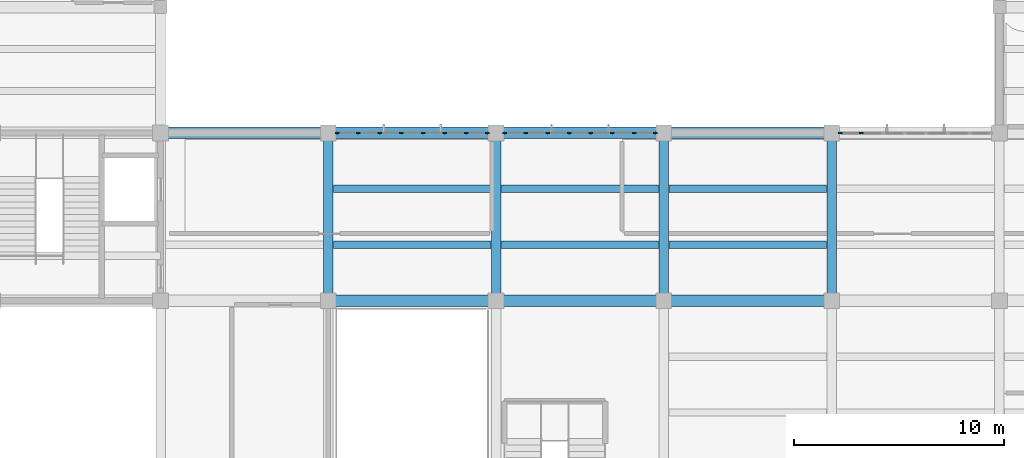
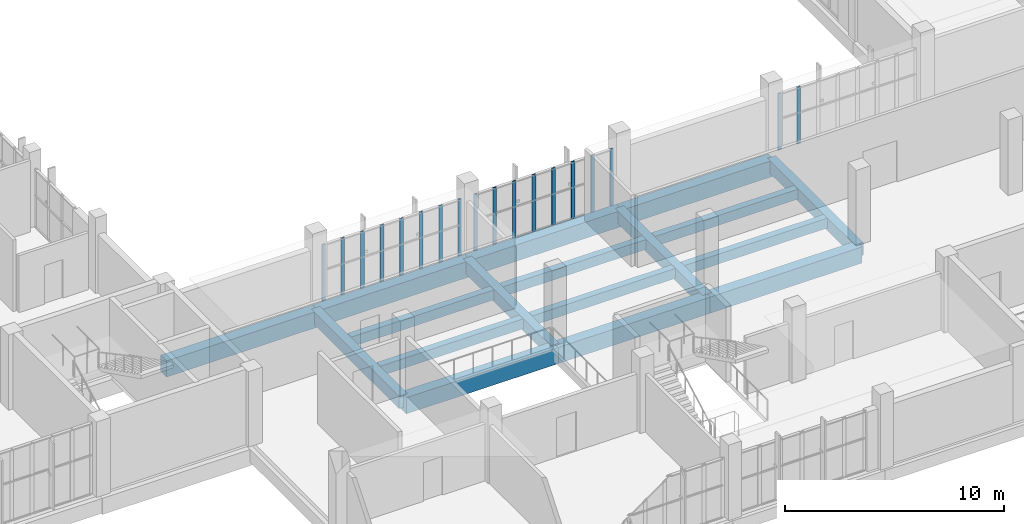
# One storey, part 13 of 85: 18 members, 17 beams, 3 elements without a shape of their own.
"""IFC4 building model written with IfcOpenShell, lengths in metres."""

from ifc_helpers import new_model, si_unit, direction, frame, origin, origin_2d, place, context, subcontext, project, spatial, rectangle, extrude, material, layer, layer_set, material_profile, profile_set, type_object, element, aggregate, save


model = new_model("IFC4")

# Units and contexts
model_context = context("Model", 3, precision=1e-05, world=origin(), true_north=direction((0.0, 1.0)))
body_context = subcontext(model_context, "Body", "Model", "MODEL_VIEW")
ifc_project = project(units=[si_unit("LENGTHUNIT", "METRE"), si_unit("AREAUNIT", "SQUARE_METRE"), si_unit("VOLUMEUNIT", "CUBIC_METRE"), si_unit("PLANEANGLEUNIT", "RADIAN"), si_unit("MASSUNIT", "GRAM", prefix="KILO")], contexts=[model_context])

# Site, building, storey
site_placement = place(None, origin())
site = spatial("IfcSite", under=ifc_project, at=site_placement, CompositionType="ELEMENT")
building_placement = place(site_placement, origin())
building = spatial("IfcBuilding", under=site, at=building_placement, Name="Solvane Community Centre", CompositionType="ELEMENT")
storey_placement = place(building_placement, frame((0.0, 0.0, 5.39990234375)))
storey = spatial("IfcBuildingStorey", under=building, at=storey_placement, Name="L01", CompositionType="ELEMENT", Elevation=5.39990234375)

# Curtain wall, members
ifc_material_1 = material(Name="Anodised bronze aluminium AW-6063 T6", Category="aluminium")
ifc_layer = layer(ifc_material_1, 0.18994140625)
ifc_layer_set = layer_set([ifc_layer], Name="Anodised bronze aluminium AW-6063 T6")
curtain_wall_type = type_object("IfcCurtainWallType", Name="Boulevard Bronze Vision Curtain Wall [72x32dm]", PredefinedType="NOTDEFINED", material=ifc_layer_set)
curtain_wall_1_placement = place(storey_placement, origin())
curtain_wall_1 = element("IfcCurtainWall", 1, at=curtain_wall_1_placement, inside=storey, type_object=curtain_wall_type, Name="Curtain Wall CW-L01-764_300-111", PredefinedType="NOTDEFINED")
ifc_material_profile_1 = material_profile(ifc_material_1, rectangle(XDim=0.06005859375, YDim=0.18994140625, at=origin_2d()), Name="CW-M 60x190")
ifc_profile_set_1 = profile_set([ifc_material_profile_1], Name="Anodised bronze aluminium AW-6063 T6")
member_type = type_object("IfcMemberType", Name="Boulevard Mullion 60x190", PredefinedType="MULLION", material=ifc_profile_set_1)
member_1_placement = place(storey_placement, frame((76.419921875, 30.0, 0.0), z_axis=(0.0, 0.0, 1.0), x_axis=(0.0, 1.0, 0.0)))
member_1 = element("IfcMember", 2, at=member_1_placement, type_object=member_type, Name="CW02-72x32 mullion 1", PredefinedType="MULLION", context=body_context, shape_type="SweptSolid", body=[
    extrude(rectangle(XDim=0.06005859375, YDim=0.18994140625, at=origin_2d()), origin(), (0.0, 0.0, 1.0), 3.1650390625),
])
member_2_placement = place(storey_placement, frame((77.42138671875, 30.0, 0.0), z_axis=(0.0, 0.0, 1.0), x_axis=(0.0, 1.0, 0.0)))
member_2 = element("IfcMember", 3, at=member_2_placement, type_object=member_type, Name="CW02-72x32 mullion 2", PredefinedType="MULLION", context=body_context, shape_type="SweptSolid", body=[
    extrude(rectangle(XDim=0.06005859375, YDim=0.18994140625, at=origin_2d()), origin(), (0.0, 0.0, 1.0), 3.1650390625),
])
member_3_placement = place(storey_placement, frame((78.452880859375, 30.0, 0.0), z_axis=(0.0, 0.0, 1.0), x_axis=(0.0, 1.0, 0.0)))
member_3 = element("IfcMember", 4, at=member_3_placement, type_object=member_type, Name="CW02-72x32 mullion 3", PredefinedType="MULLION", context=body_context, shape_type="SweptSolid", body=[
    extrude(rectangle(XDim=0.06005859375, YDim=0.18994140625, at=origin_2d()), origin(), (0.0, 0.0, 1.0), 3.1650390625),
])
member_4_placement = place(storey_placement, frame((79.484375, 30.0, 0.0), z_axis=(0.0, 0.0, 1.0), x_axis=(0.0, 1.0, 0.0)))
member_4 = element("IfcMember", 5, at=member_4_placement, type_object=member_type, Name="CW02-72x32 mullion 4", PredefinedType="MULLION", context=body_context, shape_type="SweptSolid", body=[
    extrude(rectangle(XDim=0.06005859375, YDim=0.18994140625, at=origin_2d()), origin(), (0.0, 0.0, 1.0), 3.1650390625),
])
member_5_placement = place(storey_placement, frame((80.515625, 30.0, 0.0), z_axis=(0.0, 0.0, 1.0), x_axis=(0.0, 1.0, 0.0)))
member_5 = element("IfcMember", 6, at=member_5_placement, type_object=member_type, Name="CW02-72x32 mullion 5", PredefinedType="MULLION", context=body_context, shape_type="SweptSolid", body=[
    extrude(rectangle(XDim=0.06005859375, YDim=0.18994140625, at=origin_2d()), origin(), (0.0, 0.0, 1.0), 3.1650390625),
])
member_6_placement = place(storey_placement, frame((81.547119140625, 30.0, 0.0), z_axis=(0.0, 0.0, 1.0), x_axis=(0.0, 1.0, 0.0)))
member_6 = element("IfcMember", 7, at=member_6_placement, type_object=member_type, Name="CW02-72x32 mullion 6", PredefinedType="MULLION", context=body_context, shape_type="SweptSolid", body=[
    extrude(rectangle(XDim=0.06005859375, YDim=0.18994140625, at=origin_2d()), origin(), (0.0, 0.0, 1.0), 3.1650390625),
])
member_7_placement = place(storey_placement, frame((82.57861328125, 30.0, 0.0), z_axis=(0.0, 0.0, 1.0), x_axis=(0.0, 1.0, 0.0)))
member_7 = element("IfcMember", 8, at=member_7_placement, type_object=member_type, Name="CW02-72x32 mullion 7", PredefinedType="MULLION", context=body_context, shape_type="SweptSolid", body=[
    extrude(rectangle(XDim=0.06005859375, YDim=0.18994140625, at=origin_2d()), origin(), (0.0, 0.0, 1.0), 3.1650390625),
])
member_8_placement = place(storey_placement, frame((83.580078125, 30.0, 0.0), z_axis=(0.0, 0.0, 1.0), x_axis=(0.0, 1.0, 0.0)))
member_8 = element("IfcMember", 9, at=member_8_placement, type_object=member_type, Name="CW02-72x32 mullion 8", PredefinedType="MULLION", context=body_context, shape_type="SweptSolid", body=[
    extrude(rectangle(XDim=0.06005859375, YDim=0.18994140625, at=origin_2d()), origin(), (0.0, 0.0, 1.0), 3.1650390625),
])
aggregate(curtain_wall_1, [member_1, member_2, member_3, member_4, member_5, member_6, member_7, member_8])

curtain_wall_2_placement = place(storey_placement, origin())
curtain_wall_2 = element("IfcCurtainWall", 10, at=curtain_wall_2_placement, inside=storey, type_object=curtain_wall_type, Name="Curtain Wall CW-L01-844_300-112", PredefinedType="NOTDEFINED")
member_9_placement = place(storey_placement, frame((84.419921875, 30.0, 0.0), z_axis=(0.0, 0.0, 1.0), x_axis=(0.0, 1.0, 0.0)))
member_9 = element("IfcMember", 11, at=member_9_placement, type_object=member_type, Name="CW02-72x32 mullion 1", PredefinedType="MULLION", context=body_context, shape_type="SweptSolid", body=[
    extrude(rectangle(XDim=0.06005859375, YDim=0.18994140625, at=origin_2d()), origin(), (0.0, 0.0, 1.0), 3.1650390625),
])
member_10_placement = place(storey_placement, frame((85.42138671875, 30.0, 0.0), z_axis=(0.0, 0.0, 1.0), x_axis=(0.0, 1.0, 0.0)))
member_10 = element("IfcMember", 12, at=member_10_placement, type_object=member_type, Name="CW02-72x32 mullion 2", PredefinedType="MULLION", context=body_context, shape_type="SweptSolid", body=[
    extrude(rectangle(XDim=0.06005859375, YDim=0.18994140625, at=origin_2d()), origin(), (0.0, 0.0, 1.0), 3.1650390625),
])
member_11_placement = place(storey_placement, frame((86.452880859375, 30.0, 0.0), z_axis=(0.0, 0.0, 1.0), x_axis=(0.0, 1.0, 0.0)))
member_11 = element("IfcMember", 13, at=member_11_placement, type_object=member_type, Name="CW02-72x32 mullion 3", PredefinedType="MULLION", context=body_context, shape_type="SweptSolid", body=[
    extrude(rectangle(XDim=0.06005859375, YDim=0.18994140625, at=origin_2d()), origin(), (0.0, 0.0, 1.0), 3.1650390625),
])
member_12_placement = place(storey_placement, frame((87.484375, 30.0, 0.0), z_axis=(0.0, 0.0, 1.0), x_axis=(0.0, 1.0, 0.0)))
member_12 = element("IfcMember", 14, at=member_12_placement, type_object=member_type, Name="CW02-72x32 mullion 4", PredefinedType="MULLION", context=body_context, shape_type="SweptSolid", body=[
    extrude(rectangle(XDim=0.06005859375, YDim=0.18994140625, at=origin_2d()), origin(), (0.0, 0.0, 1.0), 3.1650390625),
])
member_13_placement = place(storey_placement, frame((88.515625, 30.0, 0.0), z_axis=(0.0, 0.0, 1.0), x_axis=(0.0, 1.0, 0.0)))
member_13 = element("IfcMember", 15, at=member_13_placement, type_object=member_type, Name="CW02-72x32 mullion 5", PredefinedType="MULLION", context=body_context, shape_type="SweptSolid", body=[
    extrude(rectangle(XDim=0.06005859375, YDim=0.18994140625, at=origin_2d()), origin(), (0.0, 0.0, 1.0), 3.1650390625),
])
member_14_placement = place(storey_placement, frame((89.547119140625, 30.0, 0.0), z_axis=(0.0, 0.0, 1.0), x_axis=(0.0, 1.0, 0.0)))
member_14 = element("IfcMember", 16, at=member_14_placement, type_object=member_type, Name="CW02-72x32 mullion 6", PredefinedType="MULLION", context=body_context, shape_type="SweptSolid", body=[
    extrude(rectangle(XDim=0.06005859375, YDim=0.18994140625, at=origin_2d()), origin(), (0.0, 0.0, 1.0), 3.1650390625),
])
member_15_placement = place(storey_placement, frame((90.57861328125, 30.0, 0.0), z_axis=(0.0, 0.0, 1.0), x_axis=(0.0, 1.0, 0.0)))
member_15 = element("IfcMember", 17, at=member_15_placement, type_object=member_type, Name="CW02-72x32 mullion 7", PredefinedType="MULLION", context=body_context, shape_type="SweptSolid", body=[
    extrude(rectangle(XDim=0.06005859375, YDim=0.18994140625, at=origin_2d()), origin(), (0.0, 0.0, 1.0), 3.1650390625),
])
member_16_placement = place(storey_placement, frame((91.580078125, 30.0, 0.0), z_axis=(0.0, 0.0, 1.0), x_axis=(0.0, 1.0, 0.0)))
member_16 = element("IfcMember", 18, at=member_16_placement, type_object=member_type, Name="CW02-72x32 mullion 8", PredefinedType="MULLION", context=body_context, shape_type="SweptSolid", body=[
    extrude(rectangle(XDim=0.06005859375, YDim=0.18994140625, at=origin_2d()), origin(), (0.0, 0.0, 1.0), 3.1650390625),
])
aggregate(curtain_wall_2, [member_9, member_10, member_11, member_12, member_13, member_14, member_15, member_16])

curtain_wall_3_placement = place(storey_placement, origin())
curtain_wall_3 = element("IfcCurtainWall", 19, at=curtain_wall_3_placement, inside=storey, type_object=curtain_wall_type, Name="Curtain Wall CW-L01-1004_300-113", PredefinedType="NOTDEFINED")
member_17_placement = place(storey_placement, frame((100.419921875, 30.0, 0.0), z_axis=(0.0, 0.0, 1.0), x_axis=(0.0, 1.0, 0.0)))
member_17 = element("IfcMember", 20, at=member_17_placement, type_object=member_type, Name="CW02-72x32 mullion 1", PredefinedType="MULLION", context=body_context, shape_type="SweptSolid", body=[
    extrude(rectangle(XDim=0.06005859375, YDim=0.18994140625, at=origin_2d()), origin(), (0.0, 0.0, 1.0), 3.1650390625),
])
member_18_placement = place(storey_placement, frame((101.42138671875, 30.0, 0.0), z_axis=(0.0, 0.0, 1.0), x_axis=(0.0, 1.0, 0.0)))
member_18 = element("IfcMember", 21, at=member_18_placement, type_object=member_type, Name="CW02-72x32 mullion 2", PredefinedType="MULLION", context=body_context, shape_type="SweptSolid", body=[
    extrude(rectangle(XDim=0.06005859375, YDim=0.18994140625, at=origin_2d()), origin(), (0.0, 0.0, 1.0), 3.1650390625),
])
aggregate(curtain_wall_3, [member_17, member_18])

# Beams
ifc_material_2 = material(Name="Concrete C35/45", Category="concrete")
ifc_material_profile_2 = material_profile(ifc_material_2, rectangle(XDim=0.449951171875, YDim=0.699951171875, at=origin_2d()), Name="RC 450x700")
ifc_profile_set_2 = profile_set([ifc_material_profile_2], Name="Concrete C35/45")
beam_type_1 = type_object("IfcBeamType", Name="RC Floor Beam 450x700", PredefinedType="BEAM", material=ifc_profile_set_2)
for number, where, z_axis, x_axis, name in (
    (22, (76.0, 22.0, -0.58984375), (0.0, 1.0, 0.0), (-1.0, 0.0, 0.0), "Beam BM-L01-760_220-760_300"),
    (23, (84.0, 22.0, -0.58984375), (0.0, 1.0, 0.0), (-1.0, 0.0, 0.0), "Beam BM-L01-840_220-840_300"),
    (24, (92.0, 22.0, -0.58984375), (0.0, 1.0, 0.0), (-1.0, 0.0, 0.0), "Beam BM-L01-920_220-920_300"),
    (25, (100.0, 22.0, -0.58984375), (0.0, 1.0, 0.0), (-1.0, 0.0, 0.0), "Beam BM-L01-1000_220-1000_300"),
):
    element("IfcBeam", number, at=place(storey_placement, frame(where, z_axis=z_axis, x_axis=x_axis)), inside=storey, type_object=beam_type_1, Name=name, PredefinedType="BEAM", context=body_context, shape_type="SweptSolid", body=[
        extrude(rectangle(XDim=0.449951171875, YDim=0.699951171875, at=origin_2d()), origin(), (0.0, 0.0, 1.0), 8.0),
    ])
ifc_material_profile_3 = material_profile(ifc_material_2, rectangle(XDim=0.550048828125, YDim=0.89990234375, at=origin_2d()), Name="RC 550x900")
ifc_profile_set_3 = profile_set([ifc_material_profile_3], Name="Concrete C35/45")
beam_type_2 = type_object("IfcBeamType", Name="RC Heavy Girder 550x900", PredefinedType="USERDEFINED", material=ifc_profile_set_3)
for number, where, z_axis, x_axis, name in (
    (26, (76.0, 22.0, -0.68994140625), (1.0, 0.0, 0.0), (0.0, 1.0, 0.0), "Beam BM-L01-760_220-840_220"),
    (27, (84.0, 22.0, -0.68994140625), (1.0, 0.0, 0.0), (0.0, 1.0, 0.0), "Beam BM-L01-840_220-920_220"),
    (28, (92.0, 22.0, -0.68994140625), (1.0, 0.0, 0.0), (0.0, 1.0, 0.0), "Beam BM-L01-920_220-1000_220"),
    (29, (68.0, 30.0, -0.68994140625), (1.0, 0.0, 0.0), (0.0, 1.0, 0.0), "Beam BM-L01-680_300-760_300"),
    (30, (76.0, 30.0, -0.68994140625), (1.0, 0.0, 0.0), (0.0, 1.0, 0.0), "Beam BM-L01-760_300-840_300"),
    (31, (84.0, 30.0, -0.68994140625), (1.0, 0.0, 0.0), (0.0, 1.0, 0.0), "Beam BM-L01-840_300-920_300"),
    (32, (92.0, 30.0, -0.68994140625), (1.0, 0.0, 0.0), (0.0, 1.0, 0.0), "Beam BM-L01-920_300-1000_300"),
):
    element("IfcBeam", number, at=place(storey_placement, frame(where, z_axis=z_axis, x_axis=x_axis)), inside=storey, type_object=beam_type_2, Name=name, ObjectType="GIRDER", PredefinedType="USERDEFINED", context=body_context, shape_type="SweptSolid", body=[
        extrude(rectangle(XDim=0.550048828125, YDim=0.89990234375, at=origin_2d()), origin(), (0.0, 0.0, 1.0), 8.0),
    ])
ifc_material_profile_4 = material_profile(ifc_material_2, rectangle(XDim=0.35009765625, YDim=0.550048828125, at=origin_2d()), Name="RC 350x550")
ifc_profile_set_4 = profile_set([ifc_material_profile_4], Name="Concrete C35/45")
beam_type_3 = type_object("IfcBeamType", Name="RC Secondary Joist 350x550", PredefinedType="JOIST", material=ifc_profile_set_4)
for number, where, z_axis, x_axis, name in (
    (33, (76.239990234375, 24.666748046875, -0.514892578125), (1.0, 0.0, 0.0), (0.0, 1.0, 0.0), "Beam BM-L01-762_247-838_247"),
    (34, (76.239990234375, 27.333251953125, -0.514892578125), (1.0, 0.0, 0.0), (0.0, 1.0, 0.0), "Beam BM-L01-762_273-838_273"),
    (35, (84.239990234375, 24.666748046875, -0.514892578125), (1.0, 0.0, 0.0), (0.0, 1.0, 0.0), "Beam BM-L01-842_247-918_247"),
    (36, (84.239990234375, 27.333251953125, -0.514892578125), (1.0, 0.0, 0.0), (0.0, 1.0, 0.0), "Beam BM-L01-842_273-918_273"),
    (37, (92.239990234375, 24.666748046875, -0.514892578125), (1.0, 0.0, 0.0), (0.0, 1.0, 0.0), "Beam BM-L01-922_247-998_247"),
    (38, (92.239990234375, 27.333251953125, -0.514892578125), (1.0, 0.0, 0.0), (0.0, 1.0, 0.0), "Beam BM-L01-922_273-998_273"),
):
    element("IfcBeam", number, at=place(storey_placement, frame(where, z_axis=z_axis, x_axis=x_axis)), inside=storey, type_object=beam_type_3, Name=name, PredefinedType="JOIST", context=body_context, shape_type="SweptSolid", body=[
        extrude(rectangle(XDim=0.35009765625, YDim=0.550048828125, at=origin_2d()), origin(), (0.0, 0.0, 1.0), 7.52001953125),
    ])

save(model, "model.ifc")
